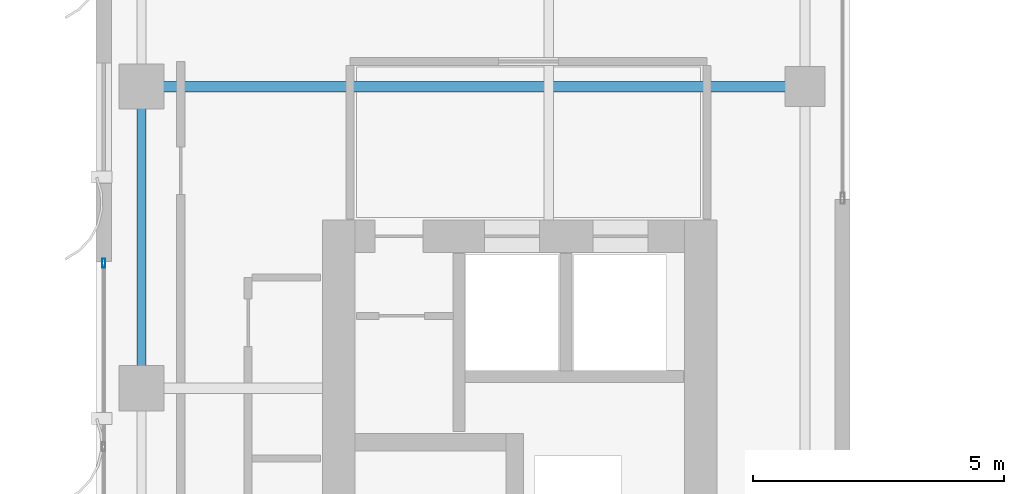
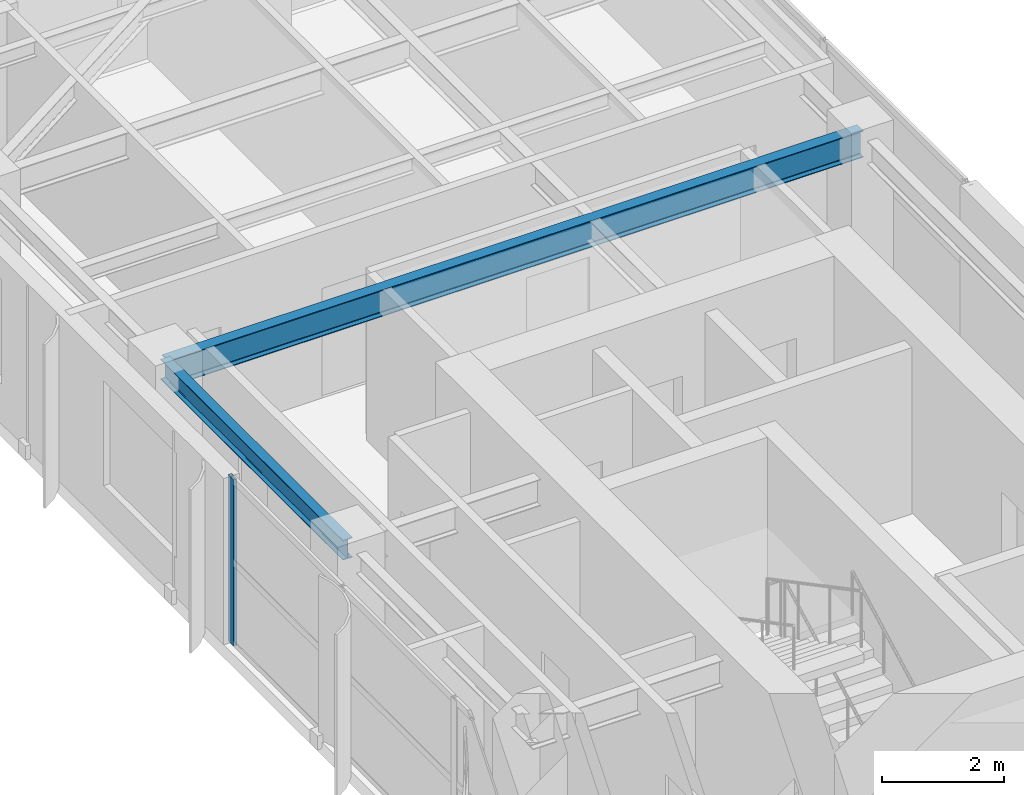
# One storey, part 8 of 22: 2 beams, 1 member, 1 element without a shape of its own.
"""IFC4 building model written with IfcOpenShell, lengths in metres."""

from ifc_helpers import new_model, si_unit, direction, frame, origin, origin_2d, place, context, subcontext, project, spatial, hollow_rectangle, i_section, extrude, source, transform, mapped, material, layer, layer_set, material_profile, profile_set, type_object, element, aggregate, save


model = new_model("IFC4")

# Units and contexts
model_context = context("Model", 3, precision=1e-05, world=origin(), true_north=direction((0.0, 1.0)))
body_context = subcontext(model_context, "Body", "Model", "MODEL_VIEW")
ifc_project = project(units=[si_unit("LENGTHUNIT", "METRE"), si_unit("AREAUNIT", "SQUARE_METRE"), si_unit("VOLUMEUNIT", "CUBIC_METRE"), si_unit("PLANEANGLEUNIT", "RADIAN"), si_unit("MASSUNIT", "GRAM", prefix="KILO")], contexts=[model_context])

# Site, building, storey
site_placement = place(None, origin())
site = spatial("IfcSite", under=ifc_project, at=site_placement, CompositionType="ELEMENT")
building_placement = place(site_placement, origin())
building = spatial("IfcBuilding", under=site, at=building_placement, Name="Khoralis Quay Care Tower", CompositionType="ELEMENT")
storey_placement = place(building_placement, frame((0.0, 0.0, 191.699951171875)))
storey = spatial("IfcBuildingStorey", under=building, at=storey_placement, Name="L50", CompositionType="ELEMENT", Elevation=191.699951171875)

# Beams
ifc_material_1 = material(Name="Steel S355", Category="steel")
ifc_material_profile_1 = material_profile(ifc_material_1, i_section(OverallWidth=0.179931640625, OverallDepth=0.39990234375, WebThickness=0.008544921875, FlangeThickness=0.013427734375, FilletRadius=0.02099609375, at=origin_2d()), Name="Steel S355")
ifc_profile_set_1 = profile_set([ifc_material_profile_1], Name="Steel S355")
beam_type_1 = type_object("IfcBeamType", Name="BM-IPE400", PredefinedType="SPANDREL", material=ifc_profile_set_1)
shared_shape_1 = source(origin(), body_context, "Body", "SweptSolid", [
    extrude(i_section(OverallWidth=0.179931640625, OverallDepth=0.39990234375, WebThickness=0.008544921875, FlangeThickness=0.013427734375, FilletRadius=0.02099609375, at=origin_2d()), origin(), (0.0, 0.0, 1.0), 6.0),
])
beam_1_placement = place(storey_placement, frame((3.89990234375, 24.0, 3.14013671875), z_axis=(0.0, 1.0, 0.0), x_axis=(-1.0, 0.0, 0.0)))
element("IfcBeam", 1, at=beam_1_placement, inside=storey, type_object=beam_type_1, Name="BM-TSP-L50-08", PredefinedType="SPANDREL", context=body_context, shape_type="MappedRepresentation", body=[
    mapped(shared_shape_1, transform((0.0, 0.0, 0.0), scale=1.0)),
])
ifc_material_profile_2 = material_profile(ifc_material_1, i_section(OverallWidth=0.208984375, OverallDepth=0.532958984375, WebThickness=0.01025390625, FlangeThickness=0.015625, FilletRadius=0.01611328125, at=origin_2d()), Name="Steel S355")
ifc_profile_set_2 = profile_set([ifc_material_profile_2], Name="Steel S355")
beam_type_2 = type_object("IfcBeamType", Name="BM-W530X92", PredefinedType="BEAM", material=ifc_profile_set_2)
shared_shape_2 = source(origin(), body_context, "Body", "SweptSolid", [
    extrude(i_section(OverallWidth=0.208984375, OverallDepth=0.532958984375, WebThickness=0.01025390625, FlangeThickness=0.015625, FilletRadius=0.01611328125, at=origin_2d()), origin(), (0.0, 0.0, 1.0), 13.2001953125),
])
beam_2_placement = place(storey_placement, frame((3.89990234375, 30.0, 3.073486328125), z_axis=(1.0, 0.0, 0.0), x_axis=(0.0, 1.0, 0.0)))
element("IfcBeam", 2, at=beam_2_placement, inside=storey, type_object=beam_type_2, Name="BM-TGXW-L50-300", PredefinedType="BEAM", context=body_context, shape_type="MappedRepresentation", body=[
    mapped(shared_shape_2, transform((0.0, 0.0, 0.0), scale=1.0)),
])

# Curtain wall, member
ifc_material_2 = material(Name="Pale anodised aluminium", Category="aluminium")
ifc_layer = layer(ifc_material_2, 0.159912109375)
ifc_layer_set = layer_set([ifc_layer], Name="Pale anodised aluminium")
curtain_wall_type = type_object("IfcCurtainWallType", Name="CW-SYS-Z3", PredefinedType="NOTDEFINED", material=ifc_layer_set)
curtain_wall_placement = place(storey_placement, origin())
curtain_wall = element("IfcCurtainWall", 3, at=curtain_wall_placement, inside=storey, type_object=curtain_wall_type, Name="L50 Unitised Curtain Wall CW-L50-P1-E7", PredefinedType="NOTDEFINED")
ifc_material_profile_3 = material_profile(ifc_material_2, hollow_rectangle(XDim=0.06494140625, YDim=0.179931640625, WallThickness=0.00390625, at=origin_2d()), Name="Pale anodised aluminium")
ifc_profile_set_3 = profile_set([ifc_material_profile_3], Name="Pale anodised aluminium")
member_type = type_object("IfcMemberType", Name="CW-MUL-180", PredefinedType="MULLION", material=ifc_profile_set_3)
shared_shape_3 = source(origin(), body_context, "Body", "SweptSolid", [
    extrude(hollow_rectangle(XDim=0.06494140625, YDim=0.179931640625, WallThickness=0.00390625, at=origin_2d()), origin(), (0.0, 0.0, 1.0), 3.340087890625),
])
member_placement = place(storey_placement, frame((3.14990234375, 26.489990234375, 0.0), z_axis=(0.0, 0.0, 1.0), x_axis=(1.0, 0.0, 0.0)))
member = element("IfcMember", 4, at=member_placement, type_object=member_type, Name="CW3 mullion 1", PredefinedType="MULLION", context=body_context, shape_type="MappedRepresentation", body=[
    mapped(shared_shape_3, transform((0.0, 0.0, 0.0), scale=1.0)),
])
aggregate(curtain_wall, [member])

save(model, "model.ifc")
